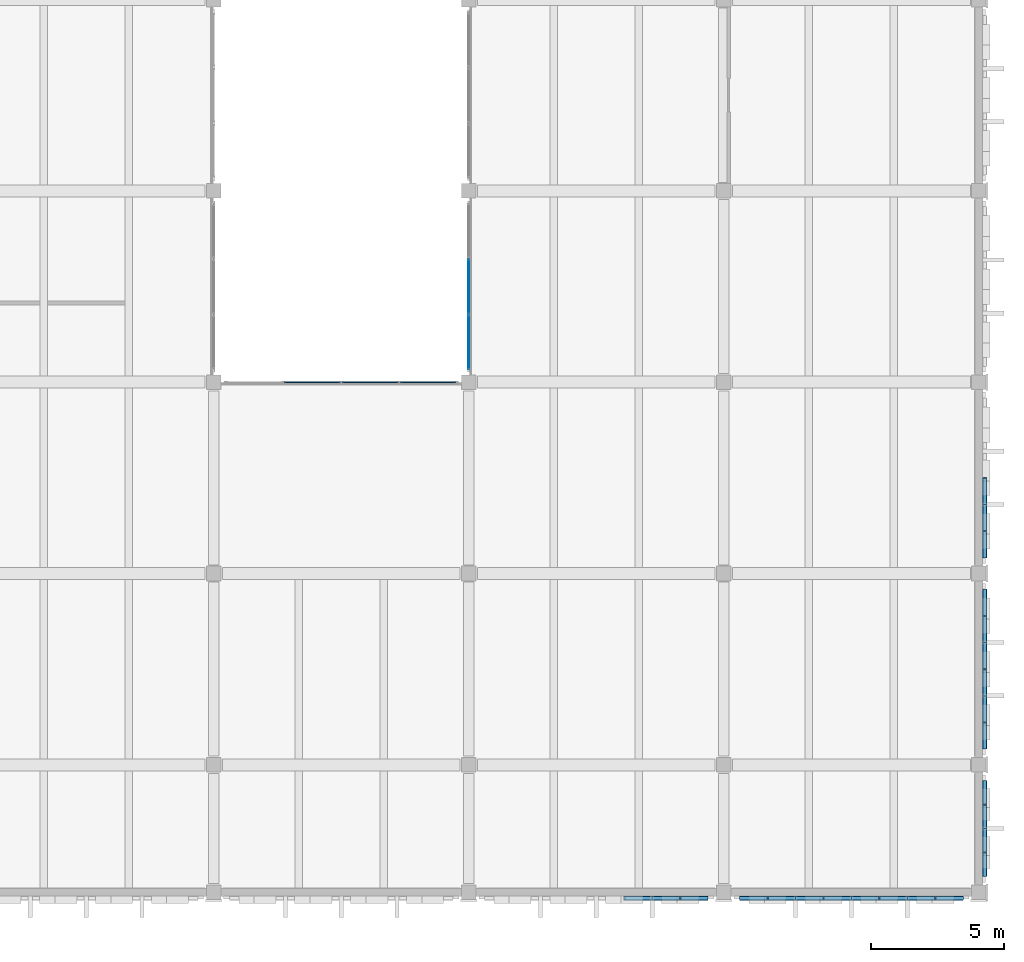
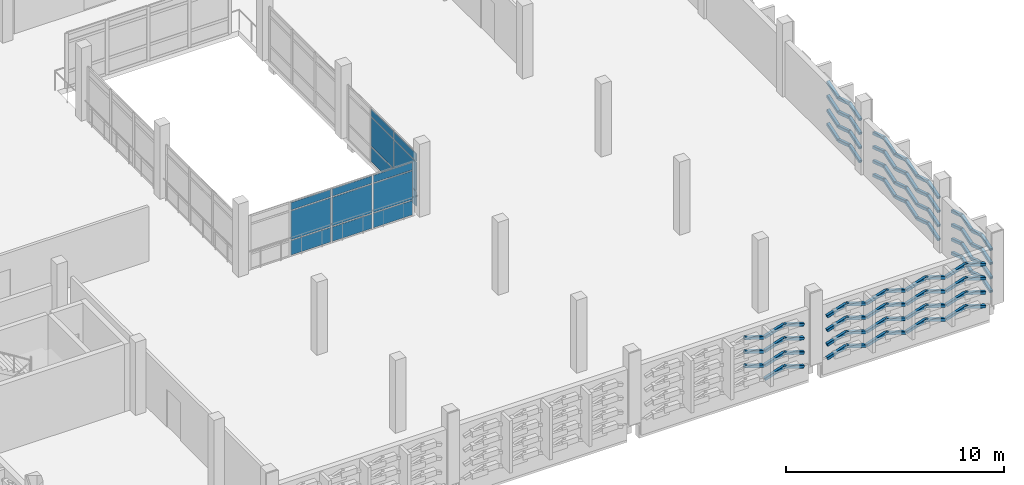
# One storey, part 45 of 72: 110 plates, 2 elements without a shape of their own.
"""IFC4 building model written with IfcOpenShell, lengths in metres."""

from ifc_helpers import new_model, si_unit, direction, frame, origin, origin_2d, place, context, subcontext, project, spatial, rectangle, hollow_rectangle, extrude, material, layer, layer_set, material_profile, profile_set, type_object, element, aggregate, save


model = new_model("IFC4")

# Units and contexts
model_context = context("Model", 3, precision=1e-05, world=origin(), true_north=direction((0.0, 1.0)))
body_context = subcontext(model_context, "Body", "Model", "MODEL_VIEW")
ifc_project = project(units=[si_unit("LENGTHUNIT", "METRE"), si_unit("AREAUNIT", "SQUARE_METRE"), si_unit("VOLUMEUNIT", "CUBIC_METRE"), si_unit("PLANEANGLEUNIT", "RADIAN"), si_unit("MASSUNIT", "GRAM", prefix="KILO")], contexts=[model_context])

# Site, building, storey
site_placement = place(None, origin())
site = spatial("IfcSite", under=ifc_project, at=site_placement, CompositionType="ELEMENT")
building_placement = place(site_placement, origin())
building = spatial("IfcBuilding", under=site, at=building_placement, Name="Asteropetra Specialist Clinic", CompositionType="ELEMENT")
storey_placement = place(building_placement, frame((0.0, 0.0, 12.580078125)))
storey = spatial("IfcBuildingStorey", under=building, at=storey_placement, Name="L03", CompositionType="ELEMENT", Elevation=12.580078125)

# Plates
ifc_material_1 = material(Name="Chevron emerald aluminium 6063-T6", Category="aluminium")
ifc_material_profile = material_profile(ifc_material_1, hollow_rectangle(XDim=0.159912109375, YDim=0.159912109375, WallThickness=0.008056640625, InnerFilletRadius=0.008056640625, OuterFilletRadius=0.01611328125, at=origin_2d()), Name="SHS 160x160x8.0")
ifc_profile_set = profile_set([ifc_material_profile], Name="Chevron emerald aluminium 6063-T6")
plate_type_1 = type_object("IfcPlateType", Name="CHV-RIB-160", PredefinedType="SHEET", material=ifc_profile_set)
for number, where, z_axis, x_axis, name in (
    (1, (140.251220703125, -0.219482421875, 1.1513671875), (0.95200979945, 0.0, -0.306067544426), (0.0, 1.0, 0.0), "Chevron Facade Screen Fin CVR-3105"),
    (2, (140.251220703125, -0.219482421875, 1.951416015625), (0.95200979945, 0.0, -0.306067544426), (0.0, 1.0, 0.0), "Chevron Facade Screen Fin CVR-3107"),
    (3, (140.251220703125, -0.219482421875, 2.7314453125), (0.95200979945, 0.0, -0.306067544426), (0.0, 1.0, 0.0), "Chevron Facade Screen Fin CVR-3109"),
    (4, (141.322509765625, -0.219482421875, 0.0498046875), (0.95200979945, 0.0, 0.306067544426), (0.0, 1.0, 0.0), "Chevron Facade Screen Fin CVR-3110"),
    (5, (142.353759765625, -0.219482421875, 0.38134765625), (0.95200979945, 0.0, -0.306067544426), (0.0, 1.0, 0.0), "Chevron Facade Screen Fin CVR-3111"),
    (6, (141.322509765625, -0.219482421875, 0.81982421875), (0.95200979945, 0.0, 0.306067544426), (0.0, 1.0, 0.0), "Chevron Facade Screen Fin CVR-3112"),
    (7, (142.353759765625, -0.219482421875, 1.1513671875), (0.95200979945, 0.0, -0.306067544426), (0.0, 1.0, 0.0), "Chevron Facade Screen Fin CVR-3113"),
    (8, (141.322509765625, -0.219482421875, 1.619873046875), (0.95200979945, 0.0, 0.306067544426), (0.0, 1.0, 0.0), "Chevron Facade Screen Fin CVR-3114"),
    (9, (142.353759765625, -0.219482421875, 1.951416015625), (0.95200979945, 0.0, -0.306067544426), (0.0, 1.0, 0.0), "Chevron Facade Screen Fin CVR-3115"),
    (10, (141.322509765625, -0.219482421875, 2.39990234375), (0.95200979945, 0.0, 0.306067544426), (0.0, 1.0, 0.0), "Chevron Facade Screen Fin CVR-3116"),
    (11, (142.353759765625, -0.219482421875, 2.7314453125), (0.95200979945, 0.0, -0.306067544426), (0.0, 1.0, 0.0), "Chevron Facade Screen Fin CVR-3117"),
    (12, (144.614990234375, -0.219482421875, 0.0498046875), (0.95200979945, 0.0, 0.306067544426), (0.0, 1.0, 0.0), "Chevron Facade Screen Fin CVR-3150"),
    (13, (145.646240234375, -0.219482421875, 0.38134765625), (0.95200979945, 0.0, -0.306067544426), (0.0, 1.0, 0.0), "Chevron Facade Screen Fin CVR-3151"),
    (14, (144.614990234375, -0.219482421875, 0.81982421875), (0.95200979945, 0.0, 0.306067544426), (0.0, 1.0, 0.0), "Chevron Facade Screen Fin CVR-3152"),
    (15, (145.646240234375, -0.219482421875, 1.1513671875), (0.95200979945, 0.0, -0.306067544426), (0.0, 1.0, 0.0), "Chevron Facade Screen Fin CVR-3153"),
    (16, (144.614990234375, -0.219482421875, 1.619873046875), (0.95200979945, 0.0, 0.306067544426), (0.0, 1.0, 0.0), "Chevron Facade Screen Fin CVR-3154"),
    (17, (145.646240234375, -0.219482421875, 1.951416015625), (0.95200979945, 0.0, -0.306067544426), (0.0, 1.0, 0.0), "Chevron Facade Screen Fin CVR-3155"),
    (18, (144.614990234375, -0.219482421875, 2.39990234375), (0.95200979945, 0.0, 0.306067544426), (0.0, 1.0, 0.0), "Chevron Facade Screen Fin CVR-3156"),
    (19, (145.646240234375, -0.219482421875, 2.7314453125), (0.95200979945, 0.0, -0.306067544426), (0.0, 1.0, 0.0), "Chevron Facade Screen Fin CVR-3157"),
    (20, (146.717529296875, -0.219482421875, 0.0498046875), (0.95200979945, 0.0, 0.306067544426), (0.0, 1.0, 0.0), "Chevron Facade Screen Fin CVR-3158"),
    (21, (147.748779296875, -0.219482421875, 0.38134765625), (0.95200979945, 0.0, -0.306067544426), (0.0, 1.0, 0.0), "Chevron Facade Screen Fin CVR-3159"),
    (22, (146.717529296875, -0.219482421875, 0.81982421875), (0.95200979945, 0.0, 0.306067544426), (0.0, 1.0, 0.0), "Chevron Facade Screen Fin CVR-3160"),
    (23, (147.748779296875, -0.219482421875, 1.1513671875), (0.95200979945, 0.0, -0.306067544426), (0.0, 1.0, 0.0), "Chevron Facade Screen Fin CVR-3161"),
    (24, (146.717529296875, -0.219482421875, 1.619873046875), (0.95200979945, 0.0, 0.306067544426), (0.0, 1.0, 0.0), "Chevron Facade Screen Fin CVR-3162"),
    (25, (147.748779296875, -0.219482421875, 1.951416015625), (0.95200979945, 0.0, -0.306067544426), (0.0, 1.0, 0.0), "Chevron Facade Screen Fin CVR-3163"),
    (26, (146.717529296875, -0.219482421875, 2.39990234375), (0.95200979945, 0.0, 0.306067544426), (0.0, 1.0, 0.0), "Chevron Facade Screen Fin CVR-3164"),
    (27, (147.748779296875, -0.219482421875, 2.7314453125), (0.95200979945, 0.0, -0.306067544426), (0.0, 1.0, 0.0), "Chevron Facade Screen Fin CVR-3165"),
    (28, (148.820068359375, -0.219482421875, 0.0498046875), (0.95200979945, 0.0, 0.306067544426), (0.0, 1.0, 0.0), "Chevron Facade Screen Fin CVR-3166"),
    (29, (149.851318359375, -0.219482421875, 0.38134765625), (0.95200979945, 0.0, -0.306067544426), (0.0, 1.0, 0.0), "Chevron Facade Screen Fin CVR-3167"),
    (30, (148.820068359375, -0.219482421875, 0.81982421875), (0.95200979945, 0.0, 0.306067544426), (0.0, 1.0, 0.0), "Chevron Facade Screen Fin CVR-3168"),
    (31, (149.851318359375, -0.219482421875, 1.1513671875), (0.95200979945, 0.0, -0.306067544426), (0.0, 1.0, 0.0), "Chevron Facade Screen Fin CVR-3169"),
    (32, (148.820068359375, -0.219482421875, 1.619873046875), (0.95200979945, 0.0, 0.306067544426), (0.0, 1.0, 0.0), "Chevron Facade Screen Fin CVR-3170"),
    (33, (149.851318359375, -0.219482421875, 1.951416015625), (0.95200979945, 0.0, -0.306067544426), (0.0, 1.0, 0.0), "Chevron Facade Screen Fin CVR-3171"),
    (34, (148.820068359375, -0.219482421875, 2.39990234375), (0.95200979945, 0.0, 0.306067544426), (0.0, 1.0, 0.0), "Chevron Facade Screen Fin CVR-3172"),
    (35, (149.851318359375, -0.219482421875, 2.7314453125), (0.95200979945, 0.0, -0.306067544426), (0.0, 1.0, 0.0), "Chevron Facade Screen Fin CVR-3173"),
):
    element("IfcPlate", number, at=place(storey_placement, frame(where, z_axis=z_axis, x_axis=x_axis)), inside=storey, type_object=plate_type_1, Name=name, PredefinedType="SHEET", context=body_context, shape_type="SweptSolid", body=[
        extrude(hollow_rectangle(XDim=0.159912109375, YDim=0.159912109375, WallThickness=0.008056640625, InnerFilletRadius=0.008056640625, OuterFilletRadius=0.01611328125, at=origin_2d()), origin(), (0.0, 0.0, 1.0), 1.083251953125),
    ])
plate_1_placement = place(storey_placement, frame((150.922607421875, -0.219482421875, 0.0498046875), z_axis=(0.95198867955, 0.0, 0.30613322918), x_axis=(0.0, 1.0, 0.0)))
element("IfcPlate", 36, at=plate_1_placement, inside=storey, type_object=plate_type_1, Name="Chevron Facade Screen Fin CVR-3174", PredefinedType="SHEET", context=body_context, shape_type="SweptSolid", body=[
    extrude(hollow_rectangle(XDim=0.159912109375, YDim=0.159912109375, WallThickness=0.008056640625, InnerFilletRadius=0.008056640625, OuterFilletRadius=0.01611328125, at=origin_2d()), origin(), (0.0, 0.0, 1.0), 1.0830078125),
])
plate_2_placement = place(storey_placement, frame((151.95361328125, -0.219482421875, 0.38134765625), z_axis=(0.95203090576, 0.0, -0.306001886396), x_axis=(0.0, 1.0, 0.0)))
element("IfcPlate", 37, at=plate_2_placement, inside=storey, type_object=plate_type_1, Name="Chevron Facade Screen Fin CVR-3175", PredefinedType="SHEET", context=body_context, shape_type="SweptSolid", body=[
    extrude(hollow_rectangle(XDim=0.159912109375, YDim=0.159912109375, WallThickness=0.008056640625, InnerFilletRadius=0.008056640625, OuterFilletRadius=0.01611328125, at=origin_2d()), origin(), (0.0, 0.0, 1.0), 1.08349609375),
])
plate_3_placement = place(storey_placement, frame((150.922607421875, -0.219482421875, 0.81982421875), z_axis=(0.95198867955, 0.0, 0.30613322918), x_axis=(0.0, 1.0, 0.0)))
element("IfcPlate", 38, at=plate_3_placement, inside=storey, type_object=plate_type_1, Name="Chevron Facade Screen Fin CVR-3176", PredefinedType="SHEET", context=body_context, shape_type="SweptSolid", body=[
    extrude(hollow_rectangle(XDim=0.159912109375, YDim=0.159912109375, WallThickness=0.008056640625, InnerFilletRadius=0.008056640625, OuterFilletRadius=0.01611328125, at=origin_2d()), origin(), (0.0, 0.0, 1.0), 1.0830078125),
])
plate_4_placement = place(storey_placement, frame((151.95361328125, -0.219482421875, 1.1513671875), z_axis=(0.95203090576, 0.0, -0.306001886396), x_axis=(0.0, 1.0, 0.0)))
element("IfcPlate", 39, at=plate_4_placement, inside=storey, type_object=plate_type_1, Name="Chevron Facade Screen Fin CVR-3177", PredefinedType="SHEET", context=body_context, shape_type="SweptSolid", body=[
    extrude(hollow_rectangle(XDim=0.159912109375, YDim=0.159912109375, WallThickness=0.008056640625, InnerFilletRadius=0.008056640625, OuterFilletRadius=0.01611328125, at=origin_2d()), origin(), (0.0, 0.0, 1.0), 1.08349609375),
])
plate_5_placement = place(storey_placement, frame((150.922607421875, -0.219482421875, 1.619873046875), z_axis=(0.95198867955, 0.0, 0.30613322918), x_axis=(0.0, 1.0, 0.0)))
element("IfcPlate", 40, at=plate_5_placement, inside=storey, type_object=plate_type_1, Name="Chevron Facade Screen Fin CVR-3178", PredefinedType="SHEET", context=body_context, shape_type="SweptSolid", body=[
    extrude(hollow_rectangle(XDim=0.159912109375, YDim=0.159912109375, WallThickness=0.008056640625, InnerFilletRadius=0.008056640625, OuterFilletRadius=0.01611328125, at=origin_2d()), origin(), (0.0, 0.0, 1.0), 1.0830078125),
])
plate_6_placement = place(storey_placement, frame((151.95361328125, -0.219482421875, 1.951416015625), z_axis=(0.95203090576, 0.0, -0.306001886396), x_axis=(0.0, 1.0, 0.0)))
element("IfcPlate", 41, at=plate_6_placement, inside=storey, type_object=plate_type_1, Name="Chevron Facade Screen Fin CVR-3179", PredefinedType="SHEET", context=body_context, shape_type="SweptSolid", body=[
    extrude(hollow_rectangle(XDim=0.159912109375, YDim=0.159912109375, WallThickness=0.008056640625, InnerFilletRadius=0.008056640625, OuterFilletRadius=0.01611328125, at=origin_2d()), origin(), (0.0, 0.0, 1.0), 1.08349609375),
])
plate_7_placement = place(storey_placement, frame((150.922607421875, -0.219482421875, 2.39990234375), z_axis=(0.95198867955, 0.0, 0.30613322918), x_axis=(0.0, 1.0, 0.0)))
element("IfcPlate", 42, at=plate_7_placement, inside=storey, type_object=plate_type_1, Name="Chevron Facade Screen Fin CVR-3180", PredefinedType="SHEET", context=body_context, shape_type="SweptSolid", body=[
    extrude(hollow_rectangle(XDim=0.159912109375, YDim=0.159912109375, WallThickness=0.008056640625, InnerFilletRadius=0.008056640625, OuterFilletRadius=0.01611328125, at=origin_2d()), origin(), (0.0, 0.0, 1.0), 1.0830078125),
])
plate_8_placement = place(storey_placement, frame((151.95361328125, -0.219482421875, 2.7314453125), z_axis=(0.95203090576, 0.0, -0.306001886396), x_axis=(0.0, 1.0, 0.0)))
element("IfcPlate", 43, at=plate_8_placement, inside=storey, type_object=plate_type_1, Name="Chevron Facade Screen Fin CVR-3181", PredefinedType="SHEET", context=body_context, shape_type="SweptSolid", body=[
    extrude(hollow_rectangle(XDim=0.159912109375, YDim=0.159912109375, WallThickness=0.008056640625, InnerFilletRadius=0.008056640625, OuterFilletRadius=0.01611328125, at=origin_2d()), origin(), (0.0, 0.0, 1.0), 1.08349609375),
])
plate_9_placement = place(storey_placement, frame((153.819580078125, 0.614990234375, 0.0498046875), z_axis=(0.0, 0.95171854259, 0.306972011248), x_axis=(-1.0, 0.0, 0.0)))
element("IfcPlate", 44, at=plate_9_placement, inside=storey, type_object=plate_type_1, Name="Chevron Facade Screen Fin CVR-3230", PredefinedType="SHEET", context=body_context, shape_type="SweptSolid", body=[
    extrude(hollow_rectangle(XDim=0.159912109375, YDim=0.159912109375, WallThickness=0.008056640625, InnerFilletRadius=0.008056640625, OuterFilletRadius=0.01611328125, at=origin_2d()), origin(), (0.0, 0.0, 1.0), 0.92724609375),
])
plate_10_placement = place(storey_placement, frame((153.819580078125, 1.49755859375, 0.33447265625), z_axis=(0.0, 0.951693724919, -0.3070489439), x_axis=(-1.0, 0.0, 0.0)))
element("IfcPlate", 45, at=plate_10_placement, inside=storey, type_object=plate_type_1, Name="Chevron Facade Screen Fin CVR-3231", PredefinedType="SHEET", context=body_context, shape_type="SweptSolid", body=[
    extrude(hollow_rectangle(XDim=0.159912109375, YDim=0.159912109375, WallThickness=0.008056640625, InnerFilletRadius=0.008056640625, OuterFilletRadius=0.01611328125, at=origin_2d()), origin(), (0.0, 0.0, 1.0), 0.927001953125),
])
plate_11_placement = place(storey_placement, frame((153.819580078125, 0.614990234375, 0.81982421875), z_axis=(0.0, 0.95171854259, 0.306972011248), x_axis=(-1.0, 0.0, 0.0)))
element("IfcPlate", 46, at=plate_11_placement, inside=storey, type_object=plate_type_1, Name="Chevron Facade Screen Fin CVR-3232", PredefinedType="SHEET", context=body_context, shape_type="SweptSolid", body=[
    extrude(hollow_rectangle(XDim=0.159912109375, YDim=0.159912109375, WallThickness=0.008056640625, InnerFilletRadius=0.008056640625, OuterFilletRadius=0.01611328125, at=origin_2d()), origin(), (0.0, 0.0, 1.0), 0.92724609375),
])
plate_12_placement = place(storey_placement, frame((153.819580078125, 1.49755859375, 1.1044921875), z_axis=(0.0, 0.951693724919, -0.3070489439), x_axis=(-1.0, 0.0, 0.0)))
element("IfcPlate", 47, at=plate_12_placement, inside=storey, type_object=plate_type_1, Name="Chevron Facade Screen Fin CVR-3233", PredefinedType="SHEET", context=body_context, shape_type="SweptSolid", body=[
    extrude(hollow_rectangle(XDim=0.159912109375, YDim=0.159912109375, WallThickness=0.008056640625, InnerFilletRadius=0.008056640625, OuterFilletRadius=0.01611328125, at=origin_2d()), origin(), (0.0, 0.0, 1.0), 0.927001953125),
])
plate_13_placement = place(storey_placement, frame((153.819580078125, 0.614990234375, 1.619873046875), z_axis=(0.0, 0.95171854259, 0.306972011248), x_axis=(-1.0, 0.0, 0.0)))
element("IfcPlate", 48, at=plate_13_placement, inside=storey, type_object=plate_type_1, Name="Chevron Facade Screen Fin CVR-3234", PredefinedType="SHEET", context=body_context, shape_type="SweptSolid", body=[
    extrude(hollow_rectangle(XDim=0.159912109375, YDim=0.159912109375, WallThickness=0.008056640625, InnerFilletRadius=0.008056640625, OuterFilletRadius=0.01611328125, at=origin_2d()), origin(), (0.0, 0.0, 1.0), 0.92724609375),
])
plate_14_placement = place(storey_placement, frame((153.819580078125, 1.49755859375, 1.904541015625), z_axis=(0.0, 0.951693724919, -0.3070489439), x_axis=(-1.0, 0.0, 0.0)))
element("IfcPlate", 49, at=plate_14_placement, inside=storey, type_object=plate_type_1, Name="Chevron Facade Screen Fin CVR-3235", PredefinedType="SHEET", context=body_context, shape_type="SweptSolid", body=[
    extrude(hollow_rectangle(XDim=0.159912109375, YDim=0.159912109375, WallThickness=0.008056640625, InnerFilletRadius=0.008056640625, OuterFilletRadius=0.01611328125, at=origin_2d()), origin(), (0.0, 0.0, 1.0), 0.927001953125),
])
plate_15_placement = place(storey_placement, frame((153.819580078125, 0.614990234375, 2.39990234375), z_axis=(0.0, 0.95171854259, 0.306972011248), x_axis=(-1.0, 0.0, 0.0)))
element("IfcPlate", 50, at=plate_15_placement, inside=storey, type_object=plate_type_1, Name="Chevron Facade Screen Fin CVR-3236", PredefinedType="SHEET", context=body_context, shape_type="SweptSolid", body=[
    extrude(hollow_rectangle(XDim=0.159912109375, YDim=0.159912109375, WallThickness=0.008056640625, InnerFilletRadius=0.008056640625, OuterFilletRadius=0.01611328125, at=origin_2d()), origin(), (0.0, 0.0, 1.0), 0.92724609375),
])
plate_16_placement = place(storey_placement, frame((153.819580078125, 1.49755859375, 2.6845703125), z_axis=(0.0, 0.951693724919, -0.3070489439), x_axis=(-1.0, 0.0, 0.0)))
element("IfcPlate", 51, at=plate_16_placement, inside=storey, type_object=plate_type_1, Name="Chevron Facade Screen Fin CVR-3237", PredefinedType="SHEET", context=body_context, shape_type="SweptSolid", body=[
    extrude(hollow_rectangle(XDim=0.159912109375, YDim=0.159912109375, WallThickness=0.008056640625, InnerFilletRadius=0.008056640625, OuterFilletRadius=0.01611328125, at=origin_2d()), origin(), (0.0, 0.0, 1.0), 0.927001953125),
])
for number, where, z_axis, x_axis, name in (
    (52, (153.819580078125, 2.419921875, 0.0498046875), (0.0, 0.95171854259, 0.306972011248), (-1.0, 0.0, 0.0), "Chevron Facade Screen Fin CVR-3238"),
    (53, (153.819580078125, 3.302490234375, 0.33447265625), (0.0, 0.95171854259, -0.306972011248), (-1.0, 0.0, 0.0), "Chevron Facade Screen Fin CVR-3239"),
    (54, (153.819580078125, 2.419921875, 0.81982421875), (0.0, 0.95171854259, 0.306972011248), (-1.0, 0.0, 0.0), "Chevron Facade Screen Fin CVR-3240"),
    (55, (153.819580078125, 3.302490234375, 1.1044921875), (0.0, 0.95171854259, -0.306972011248), (-1.0, 0.0, 0.0), "Chevron Facade Screen Fin CVR-3241"),
    (56, (153.819580078125, 2.419921875, 1.619873046875), (0.0, 0.95171854259, 0.306972011248), (-1.0, 0.0, 0.0), "Chevron Facade Screen Fin CVR-3242"),
    (57, (153.819580078125, 3.302490234375, 1.904541015625), (0.0, 0.95171854259, -0.306972011248), (-1.0, 0.0, 0.0), "Chevron Facade Screen Fin CVR-3243"),
    (58, (153.819580078125, 2.419921875, 2.39990234375), (0.0, 0.95171854259, 0.306972011248), (-1.0, 0.0, 0.0), "Chevron Facade Screen Fin CVR-3244"),
    (59, (153.819580078125, 3.302490234375, 2.6845703125), (0.0, 0.95171854259, -0.306972011248), (-1.0, 0.0, 0.0), "Chevron Facade Screen Fin CVR-3245"),
):
    element("IfcPlate", number, at=place(storey_placement, frame(where, z_axis=z_axis, x_axis=x_axis)), inside=storey, type_object=plate_type_1, Name=name, PredefinedType="SHEET", context=body_context, shape_type="SweptSolid", body=[
        extrude(hollow_rectangle(XDim=0.159912109375, YDim=0.159912109375, WallThickness=0.008056640625, InnerFilletRadius=0.008056640625, OuterFilletRadius=0.01611328125, at=origin_2d()), origin(), (0.0, 0.0, 1.0), 0.92724609375),
    ])
for number, where, z_axis, x_axis, name in (
    (60, (153.819580078125, 5.4150390625, 0.0498046875), (0.0, 0.951922588053, 0.306338679169), (-1.0, 0.0, 0.0), "Chevron Facade Screen Fin CVR-3270"),
    (61, (153.819580078125, 6.396728515625, 0.36572265625), (0.0, 0.951922588053, -0.306338679169), (-1.0, 0.0, 0.0), "Chevron Facade Screen Fin CVR-3271"),
    (62, (153.819580078125, 5.4150390625, 0.81982421875), (0.0, 0.951922588053, 0.306338679169), (-1.0, 0.0, 0.0), "Chevron Facade Screen Fin CVR-3272"),
    (63, (153.819580078125, 6.396728515625, 1.1357421875), (0.0, 0.951922588053, -0.306338679169), (-1.0, 0.0, 0.0), "Chevron Facade Screen Fin CVR-3273"),
    (64, (153.819580078125, 5.4150390625, 1.619873046875), (0.0, 0.951922588053, 0.306338679169), (-1.0, 0.0, 0.0), "Chevron Facade Screen Fin CVR-3274"),
    (65, (153.819580078125, 6.396728515625, 1.935791015625), (0.0, 0.951922588053, -0.306338679169), (-1.0, 0.0, 0.0), "Chevron Facade Screen Fin CVR-3275"),
    (66, (153.819580078125, 5.4150390625, 2.39990234375), (0.0, 0.951922588053, 0.306338679169), (-1.0, 0.0, 0.0), "Chevron Facade Screen Fin CVR-3276"),
    (67, (153.819580078125, 6.396728515625, 2.7158203125), (0.0, 0.951922588053, -0.306338679169), (-1.0, 0.0, 0.0), "Chevron Facade Screen Fin CVR-3277"),
    (68, (153.819580078125, 7.418212890625, 0.0498046875), (0.0, 0.951922588053, 0.306338679169), (-1.0, 0.0, 0.0), "Chevron Facade Screen Fin CVR-3278"),
    (69, (153.819580078125, 8.39990234375, 0.36572265625), (0.0, 0.951922588053, -0.306338679169), (-1.0, 0.0, 0.0), "Chevron Facade Screen Fin CVR-3279"),
    (70, (153.819580078125, 7.418212890625, 0.81982421875), (0.0, 0.951922588053, 0.306338679169), (-1.0, 0.0, 0.0), "Chevron Facade Screen Fin CVR-3280"),
    (71, (153.819580078125, 8.39990234375, 1.1357421875), (0.0, 0.951922588053, -0.306338679169), (-1.0, 0.0, 0.0), "Chevron Facade Screen Fin CVR-3281"),
    (72, (153.819580078125, 7.418212890625, 1.619873046875), (0.0, 0.951922588053, 0.306338679169), (-1.0, 0.0, 0.0), "Chevron Facade Screen Fin CVR-3282"),
    (73, (153.819580078125, 8.39990234375, 1.935791015625), (0.0, 0.951922588053, -0.306338679169), (-1.0, 0.0, 0.0), "Chevron Facade Screen Fin CVR-3283"),
    (74, (153.819580078125, 7.418212890625, 2.39990234375), (0.0, 0.951922588053, 0.306338679169), (-1.0, 0.0, 0.0), "Chevron Facade Screen Fin CVR-3284"),
    (75, (153.819580078125, 8.39990234375, 2.7158203125), (0.0, 0.951922588053, -0.306338679169), (-1.0, 0.0, 0.0), "Chevron Facade Screen Fin CVR-3285"),
    (76, (153.819580078125, 9.421630859375, 0.0498046875), (0.0, 0.951922588053, 0.306338679169), (-1.0, 0.0, 0.0), "Chevron Facade Screen Fin CVR-3286"),
    (77, (153.819580078125, 10.4033203125, 0.36572265625), (0.0, 0.951922588053, -0.306338679169), (-1.0, 0.0, 0.0), "Chevron Facade Screen Fin CVR-3287"),
    (78, (153.819580078125, 9.421630859375, 0.81982421875), (0.0, 0.951922588053, 0.306338679169), (-1.0, 0.0, 0.0), "Chevron Facade Screen Fin CVR-3288"),
    (79, (153.819580078125, 10.4033203125, 1.1357421875), (0.0, 0.951922588053, -0.306338679169), (-1.0, 0.0, 0.0), "Chevron Facade Screen Fin CVR-3289"),
    (80, (153.819580078125, 9.421630859375, 1.619873046875), (0.0, 0.951922588053, 0.306338679169), (-1.0, 0.0, 0.0), "Chevron Facade Screen Fin CVR-3290"),
    (81, (153.819580078125, 10.4033203125, 1.935791015625), (0.0, 0.951922588053, -0.306338679169), (-1.0, 0.0, 0.0), "Chevron Facade Screen Fin CVR-3291"),
    (82, (153.819580078125, 9.421630859375, 2.39990234375), (0.0, 0.951922588053, 0.306338679169), (-1.0, 0.0, 0.0), "Chevron Facade Screen Fin CVR-3292"),
    (83, (153.819580078125, 10.4033203125, 2.7158203125), (0.0, 0.951922588053, -0.306338679169), (-1.0, 0.0, 0.0), "Chevron Facade Screen Fin CVR-3293"),
    (84, (153.819580078125, 12.614990234375, 0.0498046875), (0.0, 0.951922588053, 0.306338679169), (-1.0, 0.0, 0.0), "Chevron Facade Screen Fin CVR-3318"),
    (85, (153.819580078125, 13.5966796875, 0.36572265625), (0.0, 0.951922588053, -0.306338679169), (-1.0, 0.0, 0.0), "Chevron Facade Screen Fin CVR-3319"),
    (86, (153.819580078125, 12.614990234375, 0.81982421875), (0.0, 0.951922588053, 0.306338679169), (-1.0, 0.0, 0.0), "Chevron Facade Screen Fin CVR-3320"),
    (87, (153.819580078125, 13.5966796875, 1.1357421875), (0.0, 0.951922588053, -0.306338679169), (-1.0, 0.0, 0.0), "Chevron Facade Screen Fin CVR-3321"),
    (88, (153.819580078125, 12.614990234375, 1.619873046875), (0.0, 0.951922588053, 0.306338679169), (-1.0, 0.0, 0.0), "Chevron Facade Screen Fin CVR-3322"),
    (89, (153.819580078125, 13.5966796875, 1.935791015625), (0.0, 0.951922588053, -0.306338679169), (-1.0, 0.0, 0.0), "Chevron Facade Screen Fin CVR-3323"),
    (90, (153.819580078125, 12.614990234375, 2.39990234375), (0.0, 0.951922588053, 0.306338679169), (-1.0, 0.0, 0.0), "Chevron Facade Screen Fin CVR-3324"),
    (91, (153.819580078125, 13.5966796875, 2.7158203125), (0.0, 0.951922588053, -0.306338679169), (-1.0, 0.0, 0.0), "Chevron Facade Screen Fin CVR-3325"),
    (92, (153.819580078125, 14.618408203125, 0.0498046875), (0.0, 0.951922588053, 0.306338679169), (-1.0, 0.0, 0.0), "Chevron Facade Screen Fin CVR-3326"),
    (93, (153.819580078125, 14.618408203125, 0.81982421875), (0.0, 0.951922588053, 0.306338679169), (-1.0, 0.0, 0.0), "Chevron Facade Screen Fin CVR-3328"),
    (94, (153.819580078125, 14.618408203125, 1.619873046875), (0.0, 0.951922588053, 0.306338679169), (-1.0, 0.0, 0.0), "Chevron Facade Screen Fin CVR-3330"),
    (95, (153.819580078125, 14.618408203125, 2.39990234375), (0.0, 0.951922588053, 0.306338679169), (-1.0, 0.0, 0.0), "Chevron Facade Screen Fin CVR-3332"),
):
    element("IfcPlate", number, at=place(storey_placement, frame(where, z_axis=z_axis, x_axis=x_axis)), inside=storey, type_object=plate_type_1, Name=name, PredefinedType="SHEET", context=body_context, shape_type="SweptSolid", body=[
        extrude(hollow_rectangle(XDim=0.159912109375, YDim=0.159912109375, WallThickness=0.008056640625, InnerFilletRadius=0.008056640625, OuterFilletRadius=0.01611328125, at=origin_2d()), origin(), (0.0, 0.0, 1.0), 1.03125),
    ])

# Curtain wall, plates
ifc_material_2 = material(Name="Aluminium and low-E glass", Category="aluminium")
ifc_layer_1 = layer(ifc_material_2, 0.14990234375)
ifc_layer_set_1 = layer_set([ifc_layer_1], Name="Aluminium and low-E glass")
curtain_wall_type_1 = type_object("IfcCurtainWallType", Name="CW-SYS-11", PredefinedType="USERDEFINED", material=ifc_layer_set_1)
curtain_wall_1_placement = place(storey_placement, origin())
curtain_wall_1 = element("IfcCurtainWall", 96, at=curtain_wall_1_placement, inside=storey, type_object=curtain_wall_type_1, Name="Curtain Wall CW-086", ObjectType="STICK GLAZED COLONNADE", PredefinedType="USERDEFINED")
ifc_material_3 = material(Name="Solar-control triple glazing", Category="glass")
ifc_layer_2 = layer(ifc_material_3, 0.035888671875)
ifc_layer_set_2 = layer_set([ifc_layer_2], Name="Solar-control triple glazing")
plate_type_2 = type_object("IfcPlateType", Name="CWP-GLZ-36", PredefinedType="CURTAIN_PANEL", material=ifc_layer_set_2)
plate_17_placement = place(storey_placement, frame((134.39990234375, 20.705078125, 0.059814453125), z_axis=(0.0, 0.0, 1.0), x_axis=(0.0, 1.0, 0.0)))
plate_17 = element("IfcPlate", 97, at=plate_17_placement, type_object=plate_type_2, Name="CW-086 panel 1.1", PredefinedType="CURTAIN_PANEL", context=body_context, shape_type="SweptSolid", body=[
    extrude(rectangle(XDim=2.02001953125, YDim=0.035888671875, at=origin_2d()), origin(), (0.0, 0.0, 1.0), 0.81005859375),
])
plate_18_placement = place(storey_placement, frame((134.39990234375, 20.705078125, 0.929931640625), z_axis=(0.0, 0.0, 1.0), x_axis=(0.0, 1.0, 0.0)))
plate_18 = element("IfcPlate", 98, at=plate_18_placement, type_object=plate_type_2, Name="CW-086 panel 1.2", PredefinedType="CURTAIN_PANEL", context=body_context, shape_type="SweptSolid", body=[
    extrude(rectangle(XDim=2.02001953125, YDim=0.035888671875, at=origin_2d()), origin(), (0.0, 0.0, 1.0), 1.60009765625),
])
plate_19_placement = place(storey_placement, frame((134.39990234375, 20.705078125, 2.58984375), z_axis=(0.0, 0.0, 1.0), x_axis=(0.0, 1.0, 0.0)))
plate_19 = element("IfcPlate", 99, at=plate_19_placement, type_object=plate_type_2, Name="CW-086 panel 1.3", PredefinedType="CURTAIN_PANEL", context=body_context, shape_type="SweptSolid", body=[
    extrude(rectangle(XDim=2.02001953125, YDim=0.035888671875, at=origin_2d()), origin(), (0.0, 0.0, 1.0), 0.409912109375),
])
plate_20_placement = place(storey_placement, frame((134.39990234375, 22.800048828125, 0.059814453125), z_axis=(0.0, 0.0, 1.0), x_axis=(0.0, 1.0, 0.0)))
plate_20 = element("IfcPlate", 100, at=plate_20_placement, type_object=plate_type_2, Name="CW-086 panel 2.1", PredefinedType="CURTAIN_PANEL", context=body_context, shape_type="SweptSolid", body=[
    extrude(rectangle(XDim=2.050048828125, YDim=0.035888671875, at=origin_2d()), origin(), (0.0, 0.0, 1.0), 0.81005859375),
])
plate_21_placement = place(storey_placement, frame((134.39990234375, 22.800048828125, 0.929931640625), z_axis=(0.0, 0.0, 1.0), x_axis=(0.0, 1.0, 0.0)))
plate_21 = element("IfcPlate", 101, at=plate_21_placement, type_object=plate_type_2, Name="CW-086 panel 2.2", PredefinedType="CURTAIN_PANEL", context=body_context, shape_type="SweptSolid", body=[
    extrude(rectangle(XDim=2.050048828125, YDim=0.035888671875, at=origin_2d()), origin(), (0.0, 0.0, 1.0), 1.60009765625),
])
plate_22_placement = place(storey_placement, frame((134.39990234375, 22.800048828125, 2.58984375), z_axis=(0.0, 0.0, 1.0), x_axis=(0.0, 1.0, 0.0)))
plate_22 = element("IfcPlate", 102, at=plate_22_placement, type_object=plate_type_2, Name="CW-086 panel 2.3", PredefinedType="CURTAIN_PANEL", context=body_context, shape_type="SweptSolid", body=[
    extrude(rectangle(XDim=2.050048828125, YDim=0.035888671875, at=origin_2d()), origin(), (0.0, 0.0, 1.0), 0.409912109375),
])
aggregate(curtain_wall_1, [plate_17, plate_18, plate_19, plate_20, plate_21, plate_22])

ifc_material_4 = material(Name="Aluminium and low-E glass", Category="aluminium")
ifc_layer_3 = layer(ifc_material_4, 0.14990234375)
ifc_layer_set_3 = layer_set([ifc_layer_3], Name="Aluminium and low-E glass")
curtain_wall_type_2 = type_object("IfcCurtainWallType", Name="CW-SYS-08", PredefinedType="USERDEFINED", material=ifc_layer_set_3)
curtain_wall_2_placement = place(storey_placement, origin())
curtain_wall_2 = element("IfcCurtainWall", 103, at=curtain_wall_2_placement, inside=storey, type_object=curtain_wall_type_2, Name="Curtain Wall CW-083", ObjectType="STICK GLAZED COLONNADE", PredefinedType="USERDEFINED")
ifc_material_5 = material(Name="Laminated skylight glazing", Category="glass")
ifc_layer_4 = layer(ifc_material_5, 0.0400390625)
ifc_layer_set_4 = layer_set([ifc_layer_4], Name="Laminated skylight glazing")
plate_type_3 = type_object("IfcPlateType", Name="CWP-GLZ-40", PredefinedType="CURTAIN_PANEL", material=ifc_layer_set_4)
plate_23_placement = place(storey_placement, frame((128.5087890625, 19.199951171875, 0.059814453125), z_axis=(0.0, 0.0, 1.0), x_axis=(1.0, 0.0, 0.0)))
plate_23 = element("IfcPlate", 104, at=plate_23_placement, type_object=plate_type_3, Name="CW-083 panel 2.1", PredefinedType="CURTAIN_PANEL", context=body_context, shape_type="SweptSolid", body=[
    extrude(rectangle(XDim=2.12255859375, YDim=0.0400390625, at=origin_2d()), origin(), (0.0, 0.0, 1.0), 0.81005859375),
])
plate_24_placement = place(storey_placement, frame((128.5087890625, 19.199951171875, 0.929931640625), z_axis=(0.0, 0.0, 1.0), x_axis=(1.0, 0.0, 0.0)))
plate_24 = element("IfcPlate", 105, at=plate_24_placement, type_object=plate_type_3, Name="CW-083 panel 2.2", PredefinedType="CURTAIN_PANEL", context=body_context, shape_type="SweptSolid", body=[
    extrude(rectangle(XDim=2.12255859375, YDim=0.0400390625, at=origin_2d()), origin(), (0.0, 0.0, 1.0), 1.60009765625),
])
plate_25_placement = place(storey_placement, frame((128.5087890625, 19.199951171875, 2.58984375), z_axis=(0.0, 0.0, 1.0), x_axis=(1.0, 0.0, 0.0)))
plate_25 = element("IfcPlate", 106, at=plate_25_placement, type_object=plate_type_3, Name="CW-083 panel 2.3", PredefinedType="CURTAIN_PANEL", context=body_context, shape_type="SweptSolid", body=[
    extrude(rectangle(XDim=2.12255859375, YDim=0.0400390625, at=origin_2d()), origin(), (0.0, 0.0, 1.0), 0.409912109375),
])
plate_26_placement = place(storey_placement, frame((130.691162109375, 19.199951171875, 0.059814453125), z_axis=(0.0, 0.0, 1.0), x_axis=(1.0, 0.0, 0.0)))
plate_26 = element("IfcPlate", 107, at=plate_26_placement, type_object=plate_type_3, Name="CW-083 panel 3.1", PredefinedType="CURTAIN_PANEL", context=body_context, shape_type="SweptSolid", body=[
    extrude(rectangle(XDim=2.12255859375, YDim=0.0400390625, at=origin_2d()), origin(), (0.0, 0.0, 1.0), 0.81005859375),
])
plate_27_placement = place(storey_placement, frame((130.691162109375, 19.199951171875, 0.929931640625), z_axis=(0.0, 0.0, 1.0), x_axis=(1.0, 0.0, 0.0)))
plate_27 = element("IfcPlate", 108, at=plate_27_placement, type_object=plate_type_3, Name="CW-083 panel 3.2", PredefinedType="CURTAIN_PANEL", context=body_context, shape_type="SweptSolid", body=[
    extrude(rectangle(XDim=2.12255859375, YDim=0.0400390625, at=origin_2d()), origin(), (0.0, 0.0, 1.0), 1.60009765625),
])
plate_28_placement = place(storey_placement, frame((130.691162109375, 19.199951171875, 2.58984375), z_axis=(0.0, 0.0, 1.0), x_axis=(1.0, 0.0, 0.0)))
plate_28 = element("IfcPlate", 109, at=plate_28_placement, type_object=plate_type_3, Name="CW-083 panel 3.3", PredefinedType="CURTAIN_PANEL", context=body_context, shape_type="SweptSolid", body=[
    extrude(rectangle(XDim=2.12255859375, YDim=0.0400390625, at=origin_2d()), origin(), (0.0, 0.0, 1.0), 0.409912109375),
])
plate_29_placement = place(storey_placement, frame((132.858642578125, 19.199951171875, 0.059814453125), z_axis=(0.0, 0.0, 1.0), x_axis=(1.0, 0.0, 0.0)))
plate_29 = element("IfcPlate", 110, at=plate_29_placement, type_object=plate_type_3, Name="CW-083 panel 4.1", PredefinedType="CURTAIN_PANEL", context=body_context, shape_type="SweptSolid", body=[
    extrude(rectangle(XDim=2.092529296875, YDim=0.0400390625, at=origin_2d()), origin(), (0.0, 0.0, 1.0), 0.81005859375),
])
plate_30_placement = place(storey_placement, frame((132.858642578125, 19.199951171875, 0.929931640625), z_axis=(0.0, 0.0, 1.0), x_axis=(1.0, 0.0, 0.0)))
plate_30 = element("IfcPlate", 111, at=plate_30_placement, type_object=plate_type_3, Name="CW-083 panel 4.2", PredefinedType="CURTAIN_PANEL", context=body_context, shape_type="SweptSolid", body=[
    extrude(rectangle(XDim=2.092529296875, YDim=0.0400390625, at=origin_2d()), origin(), (0.0, 0.0, 1.0), 1.60009765625),
])
plate_31_placement = place(storey_placement, frame((132.858642578125, 19.199951171875, 2.58984375), z_axis=(0.0, 0.0, 1.0), x_axis=(1.0, 0.0, 0.0)))
plate_31 = element("IfcPlate", 112, at=plate_31_placement, type_object=plate_type_3, Name="CW-083 panel 4.3", PredefinedType="CURTAIN_PANEL", context=body_context, shape_type="SweptSolid", body=[
    extrude(rectangle(XDim=2.092529296875, YDim=0.0400390625, at=origin_2d()), origin(), (0.0, 0.0, 1.0), 0.409912109375),
])
aggregate(curtain_wall_2, [plate_23, plate_24, plate_25, plate_26, plate_27, plate_28, plate_29, plate_30, plate_31])

save(model, "model.ifc")
